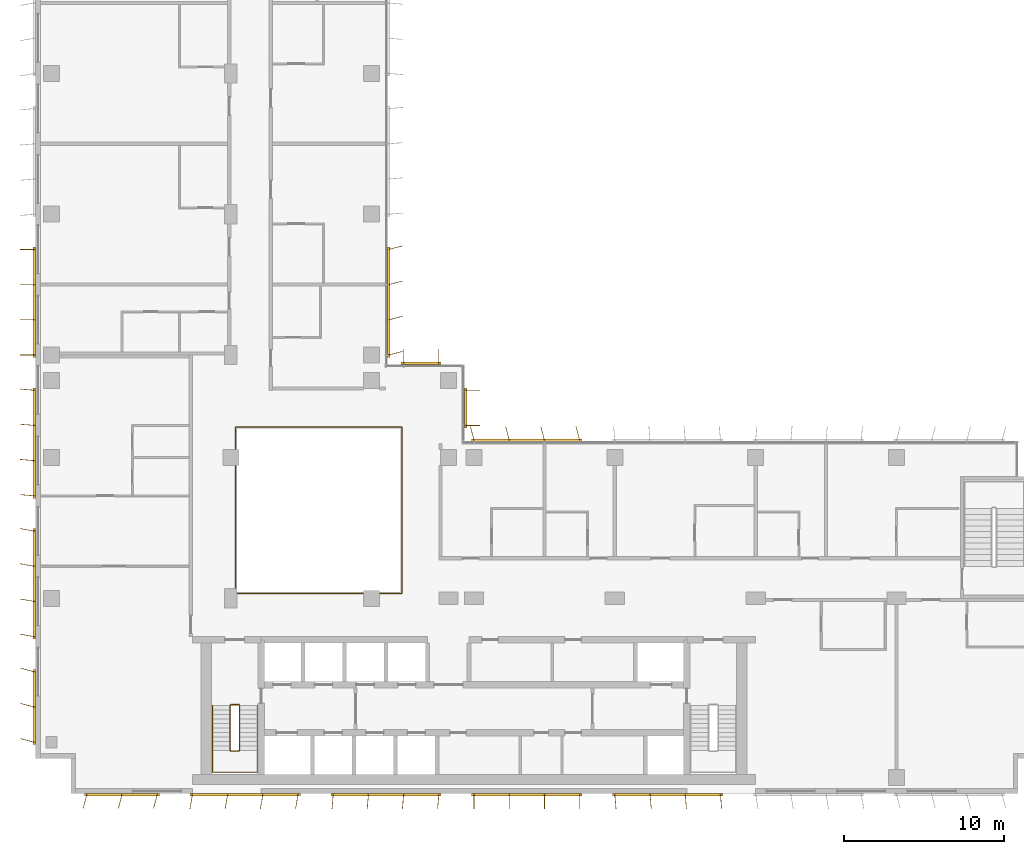
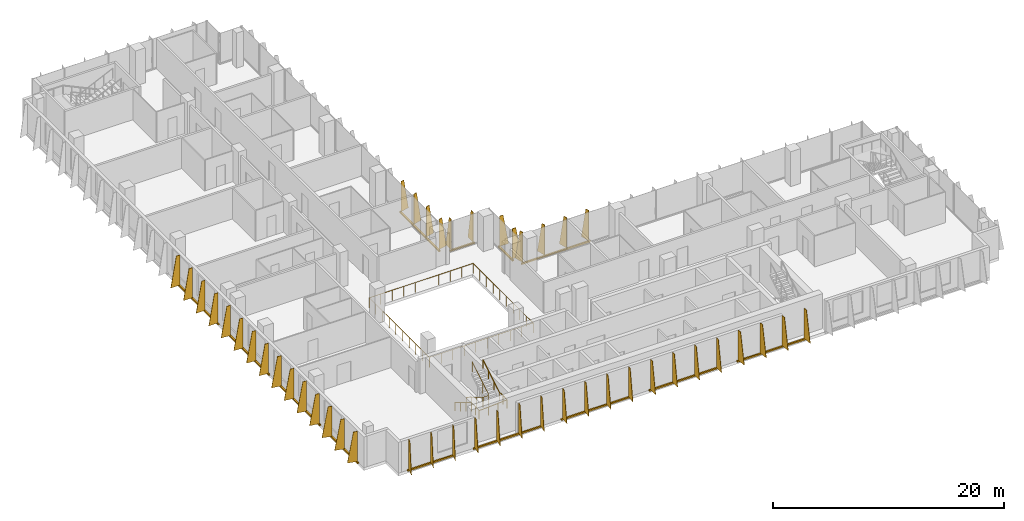
# One storey, part 18 of 20: 13 shading devices, 3 railings.
"""IFC4 building model written with IfcOpenShell, lengths in metres."""

import ifcopenshell
import ifcopenshell.guid

model = None  # the IFC model being written
_history = None  # IfcOwnerHistory: only IFC2X3 demands one
_inside = {}  # id of a spatial element -> (the spatial element, [elements in it])
_under = {}  # id of a project, library or spatial element -> (it, [spatial elements below it])
_declared = {}  # id of a project -> (the project, [libraries it declares])
_typed = {}  # id of a type object -> (the type object, [elements of that type])
_made_of = {}  # id of a material, layer set ... -> (it, [elements and type objects made of it])


def new_model(schema):
    """Start an empty IFC model of exactly this schema.

    Asked for "IFC4X3", IfcOpenShell would pick the latest addendum, in which some entities
    have other attributes; the version numbers below select the first issue.
    IFC2X3 requires an IfcOwnerHistory on every rooted entity: one is made here for all.
    """
    global model, _history
    if schema == "IFC4X3":
        model = ifcopenshell.file(schema_version=(4, 3, 0, 0))
    else:
        model = ifcopenshell.file(schema=schema)
    _inside.clear()
    _under.clear()
    _declared.clear()
    _typed.clear()
    _made_of.clear()
    _history = None
    if model.schema == "IFC2X3":
        org = make("IfcOrganization", Name="unknown")
        user = make(
            "IfcPersonAndOrganization",
            ThePerson=make("IfcPerson", FamilyName="unknown"),
            TheOrganization=org,
        )
        app = make(
            "IfcApplication",
            ApplicationDeveloper=org,
            Version="unknown",
            ApplicationFullName="unknown",
            ApplicationIdentifier="unknown",
        )
        _history = make(
            "IfcOwnerHistory",
            OwningUser=user,
            OwningApplication=app,
            ChangeAction="ADDED",
            CreationDate=0,
        )
    return model


def make(cls, **values):
    """One entity of the class cls with the attributes given. An attribute that is None is left unset."""
    return model.create_entity(
        cls, **{name: value for name, value in values.items() if value is not None}
    )


def rooted(cls, **values):
    """An entity with a GlobalId (a new one), such as an element, a storey or a relation."""
    return make(cls, GlobalId=ifcopenshell.guid.new(), OwnerHistory=_history, **values)


def si_unit(unit_type, name, prefix=None):
    """IfcSIUnit, for example si_unit("LENGTHUNIT", "METRE", prefix="MILLI")."""
    return make("IfcSIUnit", UnitType=unit_type, Prefix=prefix, Name=name)


def assignment(units):
    """IfcUnitAssignment: the units of a project."""
    return None if units is None else make("IfcUnitAssignment", Units=units)


def point(xyz):
    """IfcCartesianPoint."""
    return None if xyz is None else make("IfcCartesianPoint", Coordinates=xyz)


def direction(xyz):
    """IfcDirection."""
    return None if xyz is None else make("IfcDirection", DirectionRatios=xyz)


def frame(location, z_axis=None, x_axis=None):
    """IfcAxis2Placement3D, a coordinate frame: its origin and axes. An axis left out is left unset."""
    return make(
        "IfcAxis2Placement3D",
        Location=point(location),
        Axis=direction(z_axis),
        RefDirection=direction(x_axis),
    )


def frame_2d(location, x_axis=None):
    """IfcAxis2Placement2D, a coordinate frame in the plane: its origin and x axis."""
    return make(
        "IfcAxis2Placement2D", Location=point(location), RefDirection=direction(x_axis)
    )


def origin():
    """The frame at (0, 0, 0) with its axes left unset."""
    return frame((0.0, 0.0, 0.0))


def origin_2d():
    """The frame at (0, 0) in the plane with its x axis left unset."""
    return frame_2d((0.0, 0.0))


def place(relative_to, where):
    """IfcLocalPlacement: puts the frame where relative to a parent placement (None: the world)."""
    return make(
        "IfcLocalPlacement", PlacementRelTo=relative_to, RelativePlacement=where
    )


def context(
    kind, dimensions, precision=None, world=None, true_north=None, identifier=None
):
    """IfcGeometricRepresentationContext, for example the 3D "Model" context."""
    return make(
        "IfcGeometricRepresentationContext",
        ContextIdentifier=identifier,
        ContextType=kind,
        CoordinateSpaceDimension=dimensions,
        Precision=precision,
        WorldCoordinateSystem=world,
        TrueNorth=true_north,
    )


def subcontext(parent, identifier, kind, view, scale=None):
    """IfcGeometricRepresentationSubContext, for example "Body" below "Model"."""
    return make(
        "IfcGeometricRepresentationSubContext",
        ContextIdentifier=identifier,
        ContextType=kind,
        ParentContext=parent,
        TargetScale=scale,
        TargetView=view,
    )


def project(units=None, contexts=None):
    """IfcProject with its units and contexts."""
    return rooted(
        "IfcProject",
        Name="project",
        RepresentationContexts=contexts,
        UnitsInContext=assignment(units),
    )


def spatial(cls, under=None, at=None, **own):
    """A site, building, storey or space (cls), placed at a placement, below another one or the project."""
    s = rooted(cls, ObjectPlacement=at, **own)
    if under is not None:
        _under.setdefault(under.id(), (under, []))[1].append(s)
    return s


def polyline(points):
    """IfcPolyline through the points."""
    return make("IfcPolyline", Points=[point(p) for p in points])


def profile(cls, at=None, kind="AREA", **sizes):
    """A parametric profile (cls). Its sizes go by their IFC names, for example OverallWidth=200.0."""
    return make(cls, ProfileType=kind, Position=at, **sizes)


def rectangle(**sizes):
    """IfcRectangleProfileDef."""
    return profile("IfcRectangleProfileDef", **sizes)


def circle(**sizes):
    """IfcCircleProfileDef."""
    return profile("IfcCircleProfileDef", **sizes)


def outline(outer, holes=None, kind="AREA"):
    """IfcArbitraryClosedProfileDef: a profile drawn as a closed curve; with holes, ...WithVoids."""
    if holes is None:
        return make("IfcArbitraryClosedProfileDef", ProfileType=kind, OuterCurve=outer)
    return make(
        "IfcArbitraryProfileDefWithVoids",
        ProfileType=kind,
        OuterCurve=outer,
        InnerCurves=holes,
    )


def extrude(swept, where, along, depth):
    """IfcExtrudedAreaSolid: the profile swept, set in the frame where, extruded along a direction by depth."""
    return make(
        "IfcExtrudedAreaSolid",
        SweptArea=swept,
        Position=where,
        ExtrudedDirection=direction(along),
        Depth=depth,
    )


def shape(context_of_items, identifier, shape_type, items):
    """IfcShapeRepresentation: the items that make up one representation, for example the "Body"."""
    return make(
        "IfcShapeRepresentation",
        ContextOfItems=context_of_items,
        RepresentationIdentifier=identifier,
        RepresentationType=shape_type,
        Items=items,
    )


def source(mapping_origin, context_of_items, identifier, shape_type, items):
    """IfcRepresentationMap: a shape defined once, which mapped items show again and again."""
    return make(
        "IfcRepresentationMap",
        MappingOrigin=mapping_origin,
        MappedRepresentation=shape(context_of_items, identifier, shape_type, items),
    )


def transform(
    local_origin,
    x_axis=None,
    y_axis=None,
    z_axis=None,
    scale=None,
    scale2=None,
    scale3=None,
    uniform=True,
):
    """IfcCartesianTransformationOperator3D, or its non-uniform kind. x_axis, y_axis, z_axis: its Axis1, 2, 3."""
    if uniform:
        return make(
            "IfcCartesianTransformationOperator3D",
            Axis1=direction(x_axis),
            Axis2=direction(y_axis),
            LocalOrigin=point(local_origin),
            Scale=scale,
            Axis3=direction(z_axis),
        )
    return make(
        "IfcCartesianTransformationOperator3DnonUniform",
        Axis1=direction(x_axis),
        Axis2=direction(y_axis),
        LocalOrigin=point(local_origin),
        Scale=scale,
        Axis3=direction(z_axis),
        Scale2=scale2,
        Scale3=scale3,
    )


def mapped(mapping_source, mapping_target):
    """IfcMappedItem: shows the shape of a source again, moved by a transform."""
    return make(
        "IfcMappedItem", MappingSource=mapping_source, MappingTarget=mapping_target
    )


def material(Name=None, Category=None):
    """IfcMaterial."""
    return make("IfcMaterial", Name=Name, Category=Category)


def layer(
    of_material, thickness, ventilated=None, Name=None, Category=None, Priority=None
):
    """IfcMaterialLayer: one layer of a wall or slab, of a material (None: an air gap)."""
    return make(
        "IfcMaterialLayer",
        Material=of_material,
        LayerThickness=thickness,
        IsVentilated=ventilated,
        Name=Name,
        Category=Category,
        Priority=Priority,
    )


def layer_set(layers, Name=None):
    """IfcMaterialLayerSet."""
    return make("IfcMaterialLayerSet", MaterialLayers=layers, LayerSetName=Name)


def made_of(thing, what):
    """Note that an element or type object is made of a material, layer set ...; save() writes the relation."""
    if what is not None:
        _made_of.setdefault(what.id(), (what, []))[1].append(thing)
    return thing


def type_object(cls, material=None, **own):
    """A type object (cls), such as IfcWallType, which elements share."""
    return made_of(rooted(cls, **own), material)


def element(
    cls,
    number,
    at=None,
    inside=None,
    cuts=None,
    type_object=None,
    material=None,
    context=None,
    identifier="Body",
    shape_type=None,
    held_by="IfcProductDefinitionShape",
    body=None,
    shapes=None,
    **own,
):
    """One element of the class cls, such as IfcWall. Its Tag is "e" and its number.

    at: its placement. inside: the storey or other place that contains it. cuts: it is an
    opening in that element (IfcRelVoidsElement). A single representation is given by context,
    identifier, shape_type and body (its items); several are given by shapes. held_by: the class
    of the entity that holds the representations. save() writes the other relations.
    """
    e = rooted(cls, Tag="e%d" % number, ObjectPlacement=at, **own)
    if body is not None:
        shapes = [shape(context, identifier, shape_type, body)]
    if shapes is not None:
        e.Representation = make(held_by, Representations=shapes)
    if inside is not None:
        _inside.setdefault(inside.id(), (inside, []))[1].append(e)
    if cuts is not None:
        rooted(
            "IfcRelVoidsElement", RelatingBuildingElement=cuts, RelatedOpeningElement=e
        )
    if type_object is not None:
        _typed.setdefault(type_object.id(), (type_object, []))[1].append(e)
    return made_of(e, material)


def aggregate(whole, parts):
    """IfcRelAggregates: a whole, such as a stair, and the parts it consists of."""
    return rooted("IfcRelAggregates", RelatingObject=whole, RelatedObjects=parts)


def save(model, path):
    """Write the relations noted so far, then the file.

    IfcRelAggregates (storeys below a building ...), IfcRelContainedInSpatialStructure (elements
    in a storey), IfcRelDefinesByType, IfcRelAssociatesMaterial and IfcRelDeclares: one each for
    every whole, place, type object, material and project.
    """
    for whole, parts in _under.values():
        aggregate(whole, parts)
    for where, things in _inside.values():
        rooted(
            "IfcRelContainedInSpatialStructure",
            RelatedElements=things,
            RelatingStructure=where,
        )
    for kind, things in _typed.values():
        rooted("IfcRelDefinesByType", RelatedObjects=things, RelatingType=kind)
    for what, things in _made_of.values():
        rooted("IfcRelAssociatesMaterial", RelatedObjects=things, RelatingMaterial=what)
    for by, libraries in _declared.values():
        rooted("IfcRelDeclares", RelatingContext=by, RelatedDefinitions=libraries)
    model.write(path)


model = new_model("IFC4")

# Units and contexts
model_context = context("Model", 3, precision=1e-05, world=origin(), true_north=direction((0.0, 1.0)))
body_context = subcontext(model_context, "Body", "Model", "MODEL_VIEW")
ifc_project = project(units=[si_unit("LENGTHUNIT", "METRE"), si_unit("AREAUNIT", "SQUARE_METRE"), si_unit("VOLUMEUNIT", "CUBIC_METRE"), si_unit("PLANEANGLEUNIT", "RADIAN"), si_unit("MASSUNIT", "GRAM", prefix="KILO")], contexts=[model_context])

# Site, building, storey
site_placement = place(None, origin())
site = spatial("IfcSite", under=ifc_project, at=site_placement, CompositionType="ELEMENT")
building_placement = place(site_placement, origin())
building = spatial("IfcBuilding", under=site, at=building_placement, Name="Kemantara Hotel Tower", CompositionType="ELEMENT")
storey_placement = place(building_placement, frame((0.0, 0.0, 190.10009765625)))
storey = spatial("IfcBuildingStorey", under=building, at=storey_placement, Name="L47", CompositionType="ELEMENT", Elevation=190.10009765625)

# Railings
ifc_material_1 = material(Name="Stainless steel and laminated glass balustrade", Category="steel")
railing_type_1 = type_object("IfcRailingType", Name="ATRIUM GUARD 1100", PredefinedType="GUARDRAIL", material=ifc_material_1)
railing_1_placement = place(storey_placement, frame((12.56005859375, 12.5, 0.0)))
element("IfcRailing", 1, at=railing_1_placement, inside=storey, type_object=railing_type_1, Name="ATRIUM GUARD L47", PredefinedType="GUARDRAIL", context=body_context, shape_type="SweptSolid", body=[
    extrude(circle(Radius=0.02490234375, at=origin_2d()), frame((0.0, 0.0, 1.0751953125), z_axis=(1.0, 0.0, 0.0), x_axis=(0.0, 1.0, 0.0)), (0.0, 0.0, 1.0), 10.33984375),
    extrude(circle(Radius=0.02490234375, at=origin_2d()), frame((10.33984375, 0.0, 1.0751953125), z_axis=(0.0, 1.0, 0.0), x_axis=(-1.0, 0.0, 0.0)), (0.0, 0.0, 1.0), 10.39990234375),
    extrude(circle(Radius=0.02490234375, at=origin_2d()), frame((10.33984375, 10.39990234375, 1.0751953125), z_axis=(-1.0, 0.0, 0.0), x_axis=(0.0, -1.0, 0.0)), (0.0, 0.0, 1.0), 10.39990234375),
    extrude(circle(Radius=0.02490234375, at=origin_2d()), frame((-0.06005859375, 10.39990234375, 1.0751953125), z_axis=(0.0, -1.0, 0.0), x_axis=(1.0, 0.0, 0.0)), (0.0, 0.0, 1.0), 10.39990234375),
    extrude(circle(Radius=0.02001953125, at=origin_2d()), origin(), (0.0, 0.0, 1.0), 1.050048828125),
    extrude(circle(Radius=0.02001953125, at=origin_2d()), frame((1.14892578125, 0.0, 0.0)), (0.0, 0.0, 1.0), 1.050048828125),
    extrude(circle(Radius=0.02001953125, at=origin_2d()), frame((2.2978515625, 0.0, 0.0)), (0.0, 0.0, 1.0), 1.050048828125),
    extrude(circle(Radius=0.02001953125, at=origin_2d()), frame((3.446533203125, 0.0, 0.0)), (0.0, 0.0, 1.0), 1.050048828125),
    extrude(circle(Radius=0.02001953125, at=origin_2d()), frame((4.595458984375, 0.0, 0.0)), (0.0, 0.0, 1.0), 1.050048828125),
    extrude(circle(Radius=0.02001953125, at=origin_2d()), frame((5.744384765625, 0.0, 0.0)), (0.0, 0.0, 1.0), 1.050048828125),
    extrude(circle(Radius=0.02001953125, at=origin_2d()), frame((6.893310546875, 0.0, 0.0)), (0.0, 0.0, 1.0), 1.050048828125),
    extrude(circle(Radius=0.02001953125, at=origin_2d()), frame((8.0419921875, 0.0, 0.0)), (0.0, 0.0, 1.0), 1.050048828125),
    extrude(circle(Radius=0.02001953125, at=origin_2d()), frame((9.19091796875, 0.0, 0.0)), (0.0, 0.0, 1.0), 1.050048828125),
    extrude(circle(Radius=0.02001953125, at=origin_2d()), frame((10.33984375, 0.0, 0.0)), (0.0, 0.0, 1.0), 1.050048828125),
    extrude(circle(Radius=0.02001953125, at=origin_2d()), frame((10.33984375, 1.155517578125, 0.0)), (0.0, 0.0, 1.0), 1.050048828125),
    extrude(circle(Radius=0.02001953125, at=origin_2d()), frame((10.33984375, 2.31103515625, 0.0)), (0.0, 0.0, 1.0), 1.050048828125),
    extrude(circle(Radius=0.02001953125, at=origin_2d()), frame((10.33984375, 3.466552734375, 0.0)), (0.0, 0.0, 1.0), 1.050048828125),
    extrude(circle(Radius=0.02001953125, at=origin_2d()), frame((10.33984375, 4.6220703125, 0.0)), (0.0, 0.0, 1.0), 1.050048828125),
    extrude(circle(Radius=0.02001953125, at=origin_2d()), frame((10.33984375, 5.77783203125, 0.0)), (0.0, 0.0, 1.0), 1.050048828125),
    extrude(circle(Radius=0.02001953125, at=origin_2d()), frame((10.33984375, 6.933349609375, 0.0)), (0.0, 0.0, 1.0), 1.050048828125),
    extrude(circle(Radius=0.02001953125, at=origin_2d()), frame((10.33984375, 8.0888671875, 0.0)), (0.0, 0.0, 1.0), 1.050048828125),
    extrude(circle(Radius=0.02001953125, at=origin_2d()), frame((10.33984375, 9.244384765625, 0.0)), (0.0, 0.0, 1.0), 1.050048828125),
    extrude(circle(Radius=0.02001953125, at=origin_2d()), frame((10.33984375, 10.39990234375, 0.0)), (0.0, 0.0, 1.0), 1.050048828125),
    extrude(circle(Radius=0.02001953125, at=origin_2d()), frame((9.184326171875, 10.39990234375, 0.0)), (0.0, 0.0, 1.0), 1.050048828125),
    extrude(circle(Radius=0.02001953125, at=origin_2d()), frame((8.02880859375, 10.39990234375, 0.0)), (0.0, 0.0, 1.0), 1.050048828125),
    extrude(circle(Radius=0.02001953125, at=origin_2d()), frame((6.873291015625, 10.39990234375, 0.0)), (0.0, 0.0, 1.0), 1.050048828125),
    extrude(circle(Radius=0.02001953125, at=origin_2d()), frame((5.7177734375, 10.39990234375, 0.0)), (0.0, 0.0, 1.0), 1.050048828125),
    extrude(circle(Radius=0.02001953125, at=origin_2d()), frame((4.56201171875, 10.39990234375, 0.0)), (0.0, 0.0, 1.0), 1.050048828125),
    extrude(circle(Radius=0.02001953125, at=origin_2d()), frame((3.406494140625, 10.39990234375, 0.0)), (0.0, 0.0, 1.0), 1.050048828125),
    extrude(circle(Radius=0.02001953125, at=origin_2d()), frame((2.2509765625, 10.39990234375, 0.0)), (0.0, 0.0, 1.0), 1.050048828125),
    extrude(circle(Radius=0.02001953125, at=origin_2d()), frame((1.095458984375, 10.39990234375, 0.0)), (0.0, 0.0, 1.0), 1.050048828125),
    extrude(circle(Radius=0.02001953125, at=origin_2d()), frame((-0.06005859375, 10.39990234375, 0.0)), (0.0, 0.0, 1.0), 1.050048828125),
    extrude(circle(Radius=0.02001953125, at=origin_2d()), frame((-0.06005859375, 9.244384765625, 0.0)), (0.0, 0.0, 1.0), 1.050048828125),
    extrude(circle(Radius=0.02001953125, at=origin_2d()), frame((-0.06005859375, 8.0888671875, 0.0)), (0.0, 0.0, 1.0), 1.050048828125),
    extrude(circle(Radius=0.02001953125, at=origin_2d()), frame((-0.06005859375, 6.933349609375, 0.0)), (0.0, 0.0, 1.0), 1.050048828125),
    extrude(circle(Radius=0.02001953125, at=origin_2d()), frame((-0.06005859375, 5.77783203125, 0.0)), (0.0, 0.0, 1.0), 1.050048828125),
    extrude(circle(Radius=0.02001953125, at=origin_2d()), frame((-0.06005859375, 4.6220703125, 0.0)), (0.0, 0.0, 1.0), 1.050048828125),
    extrude(circle(Radius=0.02001953125, at=origin_2d()), frame((-0.06005859375, 3.466552734375, 0.0)), (0.0, 0.0, 1.0), 1.050048828125),
    extrude(circle(Radius=0.02001953125, at=origin_2d()), frame((-0.06005859375, 2.31103515625, 0.0)), (0.0, 0.0, 1.0), 1.050048828125),
    extrude(circle(Radius=0.02001953125, at=origin_2d()), frame((-0.06005859375, 1.155517578125, 0.0)), (0.0, 0.0, 1.0), 1.050048828125),
    extrude(circle(Radius=0.02001953125, at=origin_2d()), frame((-0.06005859375, 0.0, 0.0)), (0.0, 0.0, 1.0), 1.050048828125),
])
ifc_material_2 = material(Name="Stainless steel balustrade", Category="steel")
railing_type_2 = type_object("IfcRailingType", Name="Stair guard 1100 mm", PredefinedType="GUARDRAIL", material=ifc_material_2)
railing_2_placement = place(storey_placement, frame((12.75, 5.5, 3.699951171875)))
element("IfcRailing", 2, at=railing_2_placement, inside=storey, type_object=railing_type_2, Name="L47 ST1 stair guard 1", PredefinedType="GUARDRAIL", context=body_context, shape_type="SweptSolid", body=[
    extrude(circle(Radius=0.02392578125, at=origin_2d()), frame((0.0, 0.0, 1.076171875), z_axis=(0.0, -0.857242210791, -0.514913383045), x_axis=(1.0, 0.0, 0.0)), (0.0, 0.0, 1.0), 3.266357421875),
    extrude(circle(Radius=0.02392578125, at=origin_2d()), frame((0.0, -2.800048828125, -0.60595703125), z_axis=(-0.274243871929, -0.274243871929, -0.92172696468), x_axis=(0.707106781187, -0.707106781187, 0.0)), (0.0, 0.0, 1.0), 0.1826171875),
    extrude(circle(Radius=0.02392578125, at=origin_2d()), frame((-0.050048828125, -2.85009765625, -0.77392578125), z_axis=(-1.0, 0.0, 0.0), x_axis=(0.0, -1.0, 0.0)), (0.0, 0.0, 1.0), 0.5),
    extrude(circle(Radius=0.02392578125, at=origin_2d()), frame((-0.550048828125, -2.85009765625, -0.77392578125), z_axis=(-0.707106781187, 0.707106781187, 0.0), x_axis=(-0.707106781187, -0.707106781187, 0.0)), (0.0, 0.0, 1.0), 0.07080078125),
    extrude(circle(Radius=0.02392578125, at=origin_2d()), frame((-0.60009765625, -2.800048828125, -0.77392578125), z_axis=(0.0, 0.857242210791, -0.514913383045), x_axis=(-1.0, 0.0, 0.0)), (0.0, 0.0, 1.0), 3.266357421875),
    extrude(circle(Radius=0.02392578125, at=origin_2d()), frame((-0.60009765625, 0.0, -2.4560546875), z_axis=(0.274582412415, 0.274582412415, -0.921525364591), x_axis=(-0.707106781187, 0.707106781187, 0.0)), (0.0, 0.0, 1.0), 0.182373046875),
    extrude(circle(Radius=0.02392578125, at=origin_2d()), frame((-0.550048828125, 0.050048828125, -2.6240234375), z_axis=(1.0, 0.0, 0.0), x_axis=(0.0, 1.0, 0.0)), (0.0, 0.0, 1.0), 0.5),
    extrude(circle(Radius=0.02099609375, at=origin_2d()), origin(), (0.0, 0.0, 1.0), 1.052001953125),
    extrude(circle(Radius=0.02099609375, at=origin_2d()), frame((0.0, -0.933349609375, -0.560546875)), (0.0, 0.0, 1.0), 1.052001953125),
    extrude(circle(Radius=0.02099609375, at=origin_2d()), frame((0.0, -1.86669921875, -1.121337890625)), (0.0, 0.0, 1.0), 1.052001953125),
    extrude(circle(Radius=0.02099609375, at=origin_2d()), frame((0.0, -2.800048828125, -1.681884765625)), (0.0, 0.0, 1.0), 1.052001953125),
    extrude(circle(Radius=0.02099609375, at=origin_2d()), frame((-0.050048828125, -2.85009765625, -1.85009765625)), (0.0, 0.0, 1.0), 1.052001953125),
    extrude(circle(Radius=0.02099609375, at=origin_2d()), frame((-0.550048828125, -2.85009765625, -1.85009765625)), (0.0, 0.0, 1.0), 1.052001953125),
    extrude(circle(Radius=0.02099609375, at=origin_2d()), frame((-0.60009765625, -2.800048828125, -1.85009765625)), (0.0, 0.0, 1.0), 1.052001953125),
    extrude(circle(Radius=0.02099609375, at=origin_2d()), frame((-0.60009765625, -1.86669921875, -2.41064453125)), (0.0, 0.0, 1.0), 1.052001953125),
    extrude(circle(Radius=0.02099609375, at=origin_2d()), frame((-0.60009765625, -0.933349609375, -2.971435546875)), (0.0, 0.0, 1.0), 1.052001953125),
    extrude(circle(Radius=0.02099609375, at=origin_2d()), frame((-0.60009765625, 0.0, -3.531982421875)), (0.0, 0.0, 1.0), 1.052001953125),
    extrude(circle(Radius=0.02099609375, at=origin_2d()), frame((-0.550048828125, 0.050048828125, -3.699951171875)), (0.0, 0.0, 1.0), 1.052001953125),
    extrude(circle(Radius=0.02099609375, at=origin_2d()), frame((-0.050048828125, 0.050048828125, -3.699951171875)), (0.0, 0.0, 1.0), 1.052001953125),
])
railing_type_3 = type_object("IfcRailingType", Name="Stair handrail 900 mm", PredefinedType="HANDRAIL", material=ifc_material_2)
railing_3_placement = place(storey_placement, frame((11.050048828125, 5.5, 0.16796875)))
element("IfcRailing", 3, at=railing_3_placement, inside=storey, type_object=railing_type_3, Name="L47 ST1 stair handrail 1", PredefinedType="HANDRAIL", context=body_context, shape_type="SweptSolid", body=[
    extrude(circle(Radius=0.02392578125, at=origin_2d()), frame((0.0, 0.0, 0.8759765625), z_axis=(0.0, -0.857242210791, 0.514913383045), x_axis=(1.0, 0.0, 0.0)), (0.0, 0.0, 1.0), 3.266357421875),
    extrude(circle(Radius=0.02392578125, at=origin_2d()), frame((0.0, -2.800048828125, 2.5576171875), z_axis=(0.0, -1.0, 0.0), x_axis=(1.0, 0.0, 0.0)), (0.0, 0.0, 1.0), 1.3798828125),
    extrude(circle(Radius=0.02392578125, at=origin_2d()), frame((0.0, -4.179931640625, 2.5576171875), z_axis=(0.998200367801, 0.0, 0.059966871865), x_axis=(0.0, 1.0, 0.0)), (0.0, 0.0, 1.0), 2.80517578125),
    extrude(circle(Radius=0.02392578125, at=origin_2d()), frame((2.800048828125, -4.179931640625, 2.72607421875), z_axis=(0.0, 1.0, 0.0), x_axis=(-1.0, 0.0, 0.0)), (0.0, 0.0, 1.0), 1.3798828125),
    extrude(circle(Radius=0.02392578125, at=origin_2d()), frame((2.800048828125, -2.800048828125, 2.72607421875), z_axis=(0.0, 0.857242210791, 0.514913383045), x_axis=(-1.0, 0.0, 0.0)), (0.0, 0.0, 1.0), 3.266357421875),
    extrude(circle(Radius=0.02099609375, at=origin_2d()), origin(), (0.0, 0.0, 1.0), 0.851806640625),
    extrude(circle(Radius=0.02099609375, at=origin_2d()), frame((0.0, -0.933349609375, 0.560546875)), (0.0, 0.0, 1.0), 0.851806640625),
    extrude(circle(Radius=0.02099609375, at=origin_2d()), frame((0.0, -1.86669921875, 1.121337890625)), (0.0, 0.0, 1.0), 0.851806640625),
    extrude(circle(Radius=0.02099609375, at=origin_2d()), frame((0.0, -2.800048828125, 1.681884765625)), (0.0, 0.0, 1.0), 0.851806640625),
    extrude(circle(Radius=0.02099609375, at=origin_2d()), frame((0.0, -3.489990234375, 1.681884765625)), (0.0, 0.0, 1.0), 0.851806640625),
    extrude(circle(Radius=0.02099609375, at=origin_2d()), frame((0.0, -4.179931640625, 1.681884765625)), (0.0, 0.0, 1.0), 0.851806640625),
    extrude(circle(Radius=0.02099609375, at=origin_2d()), frame((0.933349609375, -4.179931640625, 1.738037109375)), (0.0, 0.0, 1.0), 0.851806640625),
    extrude(circle(Radius=0.02099609375, at=origin_2d()), frame((1.86669921875, -4.179931640625, 1.7939453125)), (0.0, 0.0, 1.0), 0.851806640625),
    extrude(circle(Radius=0.02099609375, at=origin_2d()), frame((2.800048828125, -4.179931640625, 1.85009765625)), (0.0, 0.0, 1.0), 0.851806640625),
    extrude(circle(Radius=0.02099609375, at=origin_2d()), frame((2.800048828125, -3.489990234375, 1.85009765625)), (0.0, 0.0, 1.0), 0.851806640625),
    extrude(circle(Radius=0.02099609375, at=origin_2d()), frame((2.800048828125, -2.800048828125, 1.85009765625)), (0.0, 0.0, 1.0), 0.851806640625),
    extrude(circle(Radius=0.02099609375, at=origin_2d()), frame((2.800048828125, -1.86669921875, 2.41064453125)), (0.0, 0.0, 1.0), 0.851806640625),
    extrude(circle(Radius=0.02099609375, at=origin_2d()), frame((2.800048828125, -0.933349609375, 2.971435546875)), (0.0, 0.0, 1.0), 0.851806640625),
    extrude(circle(Radius=0.02099609375, at=origin_2d()), frame((2.800048828125, 0.0, 3.531982421875)), (0.0, 0.0, 1.0), 0.851806640625),
])

# Shading devices
ifc_material_3 = material(Name="Perforated aluminium plate 4 mm bronze anodised", Category="aluminium")
ifc_layer_1 = layer(ifc_material_3, 0.0400390625)
ifc_layer_set_1 = layer_set([ifc_layer_1], Name="Perforated aluminium plate 4 mm bronze anodised")
shading_device_type_1 = type_object("IfcShadingDeviceType", Name="SCREEN FIN CASSETTE, 3 BLADES AT -15.0 DEG, 3200 HIGH", PredefinedType="USERDEFINED", material=ifc_layer_set_1)
shared_shape_1 = source(origin(), body_context, "Body", "SweptSolid", [
    extrude(rectangle(XDim=4.699951171875, YDim=0.14990234375, at=origin_2d()), frame((2.199951171875, -0.074951171875, -0.14990234375), z_axis=(0.0, 0.0, 1.0), x_axis=(1.0, 0.0, 0.0)), (0.0, 0.0, 1.0), 0.14990234375),
    extrude(outline(polyline([(0.0, 0.0), (0.89990234375, 0.0), (0.35009765625, 3.199951171875), (0.0, 3.199951171875), (0.0, 0.0)])), frame((0.019287109375, -0.080078125, 0.0), z_axis=(-0.966437683387, 0.256901156343, 0.0), x_axis=(-0.256901156343, -0.966437683387, 0.0)), (0.0, 0.0, 1.0), 0.039794921875),
    extrude(outline(polyline([(0.0, 0.0), (0.89990234375, 0.0), (0.35009765625, 3.199951171875), (0.0, 3.199951171875), (0.0, 0.0)])), frame((2.21923828125, -0.080078125, 0.0), z_axis=(-0.966437683387, 0.256901156343, 0.0), x_axis=(-0.256901156343, -0.966437683387, 0.0)), (0.0, 0.0, 1.0), 0.039794921875),
    extrude(outline(polyline([(0.0, 0.0), (0.89990234375, 0.0), (0.35009765625, 3.199951171875), (0.0, 3.199951171875), (0.0, 0.0)])), frame((4.41943359375, -0.080078125, 0.0), z_axis=(-0.966837822169, 0.255391122837, 0.0), x_axis=(-0.255391122837, -0.966837822169, 0.0)), (0.0, 0.0, 1.0), 0.0400390625),
])
for number, where, z_axis, x_axis, name in (
    (4, (0.0, 7.60009765625, 0.099853515625), (0.0, 0.0, 1.0), (0.0, -1.0, 0.0), "SCREEN FIN CASSETTE L47 T3-R05-7"),
    (5, (3.199951171875, 0.0, 0.099853515625), (0.0, 0.0, 1.0), (1.0, 0.0, 0.0), "SCREEN FIN CASSETTE L47 T3-R08-1"),
):
    element("IfcShadingDevice", number, at=place(storey_placement, frame(where, z_axis=z_axis, x_axis=x_axis)), inside=storey, type_object=shading_device_type_1, Name=name, ObjectType="SCREEN FIN", PredefinedType="USERDEFINED", context=body_context, shape_type="MappedRepresentation", body=[
        mapped(shared_shape_1, transform((0.0, 0.0, 0.0))),
    ])
ifc_layer_2 = layer(ifc_material_3, 0.0400390625)
ifc_layer_set_2 = layer_set([ifc_layer_2], Name="Perforated aluminium plate 4 mm bronze anodised")
shading_device_type_2 = type_object("IfcShadingDeviceType", Name="SCREEN FIN CASSETTE, 4 BLADES AT -10.0 DEG, 3200 HIGH", PredefinedType="USERDEFINED", material=ifc_layer_set_2)
shared_shape_2 = source(origin(), body_context, "Body", "SweptSolid", [
    extrude(rectangle(XDim=6.89990234375, YDim=0.14990234375, at=origin_2d()), frame((3.300048828125, -0.074951171875, -0.14990234375), z_axis=(0.0, 0.0, 1.0), x_axis=(1.0, 0.0, 0.0)), (0.0, 0.0, 1.0), 0.14990234375),
    extrude(outline(polyline([(0.0, 0.0), (0.89990234375, 0.0), (0.35009765625, 3.199951171875), (0.0, 3.199951171875), (0.0, 0.0)])), frame((0.019775390625, -0.078369140625, 0.0), z_axis=(-0.985389793052, 0.170314285219, 0.0), x_axis=(-0.170314285219, -0.985389793052, 0.0)), (0.0, 0.0, 1.0), 0.0400390625),
    extrude(outline(polyline([(0.0, 0.0), (0.89990234375, 0.0), (0.35009765625, 3.199951171875), (0.0, 3.199951171875), (0.0, 0.0)])), frame((2.2197265625, -0.078369140625, 0.0), z_axis=(-0.98521175482, 0.171341174751, 0.0), x_axis=(-0.171341174751, -0.98521175482, 0.0)), (0.0, 0.0, 1.0), 0.039794921875),
    extrude(outline(polyline([(0.0, 0.0), (0.89990234375, 0.0), (0.35009765625, 3.199951171875), (0.0, 3.199951171875), (0.0, 0.0)])), frame((4.419677734375, -0.078369140625, 0.0), z_axis=(-0.98521175482, 0.171341174751, 0.0), x_axis=(-0.171341174751, -0.98521175482, 0.0)), (0.0, 0.0, 1.0), 0.039794921875),
    extrude(outline(polyline([(0.0, 0.0), (0.89990234375, 0.0), (0.35009765625, 3.199951171875), (0.0, 3.199951171875), (0.0, 0.0)])), frame((6.61962890625, -0.078369140625, 0.0), z_axis=(-0.98521175482, 0.171341174751, 0.0), x_axis=(-0.171341174751, -0.98521175482, 0.0)), (0.0, 0.0, 1.0), 0.039794921875),
])
for number, where, z_axis, x_axis, name in (
    (6, (0.0, 16.39990234375, 0.099853515625), (0.0, 0.0, 1.0), (0.0, -1.0, 0.0), "SCREEN FIN CASSETTE L47 T3-R05-6"),
    (7, (9.800048828125, 0.0, 0.099853515625), (0.0, 0.0, 1.0), (1.0, 0.0, 0.0), "SCREEN FIN CASSETTE L47 T3-R08-2"),
):
    element("IfcShadingDevice", number, at=place(storey_placement, frame(where, z_axis=z_axis, x_axis=x_axis)), inside=storey, type_object=shading_device_type_2, Name=name, ObjectType="SCREEN FIN", PredefinedType="USERDEFINED", context=body_context, shape_type="MappedRepresentation", body=[
        mapped(shared_shape_2, transform((0.0, 0.0, 0.0))),
    ])
ifc_layer_3 = layer(ifc_material_3, 0.0400390625)
ifc_layer_set_3 = layer_set([ifc_layer_3], Name="Perforated aluminium plate 4 mm bronze anodised")
shading_device_type_3 = type_object("IfcShadingDeviceType", Name="SCREEN FIN CASSETTE, 4 BLADES AT -5.0 DEG, 3200 HIGH", PredefinedType="USERDEFINED", material=ifc_layer_set_3)
shared_shape_3 = source(origin(), body_context, "Body", "SweptSolid", [
    extrude(rectangle(XDim=6.89990234375, YDim=0.14990234375, at=origin_2d()), frame((3.300048828125, -0.074951171875, -0.14990234375), z_axis=(0.0, 0.0, 1.0), x_axis=(1.0, 0.0, 0.0)), (0.0, 0.0, 1.0), 0.14990234375),
    extrude(outline(polyline([(0.0, 0.0), (0.89990234375, 0.0), (0.35009765625, 3.199951171875), (0.0, 3.199951171875), (0.0, 0.0)])), frame((0.02001953125, -0.07666015625, 0.0), z_axis=(-0.996376129781, 0.085056498884, 0.0), x_axis=(-0.085056498884, -0.996376129781, 0.0)), (0.0, 0.0, 1.0), 0.040283203125),
    extrude(outline(polyline([(0.0, 0.0), (0.89990234375, 0.0), (0.35009765625, 3.199951171875), (0.0, 3.199951171875), (0.0, 0.0)])), frame((2.219970703125, -0.07666015625, 0.0), z_axis=(-0.996331773833, 0.085574508182, 0.0), x_axis=(-0.085574508182, -0.996331773833, 0.0)), (0.0, 0.0, 1.0), 0.0400390625),
    extrude(outline(polyline([(0.0, 0.0), (0.89990234375, 0.0), (0.35009765625, 3.199951171875), (0.0, 3.199951171875), (0.0, 0.0)])), frame((4.419921875, -0.07666015625, 0.0), z_axis=(-0.996331773833, 0.085574508182, 0.0), x_axis=(-0.085574508182, -0.996331773833, 0.0)), (0.0, 0.0, 1.0), 0.0400390625),
    extrude(outline(polyline([(0.0, 0.0), (0.89990234375, 0.0), (0.35009765625, 3.199951171875), (0.0, 3.199951171875), (0.0, 0.0)])), frame((6.619873046875, -0.07666015625, 0.0), z_axis=(-0.996331773833, 0.085574508182, 0.0), x_axis=(-0.085574508182, -0.996331773833, 0.0)), (0.0, 0.0, 1.0), 0.0400390625),
])
for number, where, z_axis, x_axis, name in (
    (8, (0.0, 25.199951171875, 0.099853515625), (0.0, 0.0, 1.0), (0.0, -1.0, 0.0), "SCREEN FIN CASSETTE L47 T3-R05-5"),
    (9, (18.60009765625, 0.0, 0.099853515625), (0.0, 0.0, 1.0), (1.0, 0.0, 0.0), "SCREEN FIN CASSETTE L47 T3-R08-3"),
):
    element("IfcShadingDevice", number, at=place(storey_placement, frame(where, z_axis=z_axis, x_axis=x_axis)), inside=storey, type_object=shading_device_type_3, Name=name, ObjectType="SCREEN FIN", PredefinedType="USERDEFINED", context=body_context, shape_type="MappedRepresentation", body=[
        mapped(shared_shape_3, transform((0.0, 0.0, 0.0))),
    ])
ifc_layer_4 = layer(ifc_material_3, 0.0400390625)
ifc_layer_set_4 = layer_set([ifc_layer_4], Name="Perforated aluminium plate 4 mm bronze anodised")
shading_device_type_4 = type_object("IfcShadingDeviceType", Name="SCREEN FIN CASSETTE, 4 BLADES AT +0.0 DEG, 3200 HIGH", PredefinedType="USERDEFINED", material=ifc_layer_set_4)
shared_shape_4 = source(origin(), body_context, "Body", "SweptSolid", [
    extrude(rectangle(XDim=6.89990234375, YDim=0.14990234375, at=origin_2d()), frame((3.300048828125, -0.074951171875, -0.14990234375), z_axis=(0.0, 0.0, 1.0), x_axis=(1.0, 0.0, 0.0)), (0.0, 0.0, 1.0), 0.14990234375),
    extrude(outline(polyline([(0.0, 0.0), (0.89990234375, 0.0), (0.35009765625, 3.199951171875), (0.0, 3.199951171875), (0.0, 0.0)])), frame((0.02001953125, -0.074951171875, 0.0), z_axis=(-1.0, 0.0, 0.0), x_axis=(0.0, -1.0, 0.0)), (0.0, 0.0, 1.0), 0.0400390625),
    extrude(outline(polyline([(0.0, 0.0), (0.89990234375, 0.0), (0.35009765625, 3.199951171875), (0.0, 3.199951171875), (0.0, 0.0)])), frame((2.219970703125, -0.074951171875, 0.0), z_axis=(-1.0, 0.0, 0.0), x_axis=(0.0, -1.0, 0.0)), (0.0, 0.0, 1.0), 0.0400390625),
    extrude(outline(polyline([(0.0, 0.0), (0.89990234375, 0.0), (0.35009765625, 3.199951171875), (0.0, 3.199951171875), (0.0, 0.0)])), frame((4.419921875, -0.074951171875, 0.0), z_axis=(-1.0, 0.0, 0.0), x_axis=(0.0, -1.0, 0.0)), (0.0, 0.0, 1.0), 0.0400390625),
    extrude(outline(polyline([(0.0, 0.0), (0.89990234375, 0.0), (0.35009765625, 3.199951171875), (0.0, 3.199951171875), (0.0, 0.0)])), frame((6.6201171875, -0.074951171875, 0.0), z_axis=(-1.0, 0.0, 0.0), x_axis=(0.0, -1.0, 0.0)), (0.0, 0.0, 1.0), 0.0400390625),
])
for number, where, z_axis, x_axis, name in (
    (10, (0.0, 34.0, 0.099853515625), (0.0, 0.0, 1.0), (0.0, -1.0, 0.0), "SCREEN FIN CASSETTE L47 T3-R05-4"),
    (11, (27.39990234375, 0.0, 0.099853515625), (0.0, 0.0, 1.0), (1.0, 0.0, 0.0), "SCREEN FIN CASSETTE L47 T3-R08-4"),
):
    element("IfcShadingDevice", number, at=place(storey_placement, frame(where, z_axis=z_axis, x_axis=x_axis)), inside=storey, type_object=shading_device_type_4, Name=name, ObjectType="SCREEN FIN", PredefinedType="USERDEFINED", context=body_context, shape_type="MappedRepresentation", body=[
        mapped(shared_shape_4, transform((0.0, 0.0, 0.0))),
    ])
ifc_layer_5 = layer(ifc_material_3, 0.0400390625)
ifc_layer_set_5 = layer_set([ifc_layer_5], Name="Perforated aluminium plate 4 mm bronze anodised")
shading_device_type_5 = type_object("IfcShadingDeviceType", Name="SCREEN FIN CASSETTE, 4 BLADES AT +5.0 DEG, 3200 HIGH", PredefinedType="USERDEFINED", material=ifc_layer_set_5)
shared_shape_5 = source(origin(), body_context, "Body", "SweptSolid", [
    extrude(rectangle(XDim=6.89990234375, YDim=0.14990234375, at=origin_2d()), frame((3.300048828125, -0.074951171875, -0.14990234375), z_axis=(0.0, 0.0, 1.0), x_axis=(1.0, 0.0, 0.0)), (0.0, 0.0, 1.0), 0.14990234375),
    extrude(outline(polyline([(0.0, 0.0), (0.89990234375, 0.0), (0.35009765625, 3.199951171875), (0.0, 3.199951171875), (0.0, 0.0)])), frame((0.02001953125, -0.0732421875, 0.0), z_axis=(-0.996376129781, -0.085056498884, 0.0), x_axis=(0.085056498884, -0.996376129781, 0.0)), (0.0, 0.0, 1.0), 0.040283203125),
    extrude(outline(polyline([(0.0, 0.0), (0.89990234375, 0.0), (0.35009765625, 3.199951171875), (0.0, 3.199951171875), (0.0, 0.0)])), frame((2.219970703125, -0.0732421875, 0.0), z_axis=(-0.996331773833, -0.085574508182, 0.0), x_axis=(0.085574508182, -0.996331773833, 0.0)), (0.0, 0.0, 1.0), 0.0400390625),
    extrude(outline(polyline([(0.0, 0.0), (0.89990234375, 0.0), (0.35009765625, 3.199951171875), (0.0, 3.199951171875), (0.0, 0.0)])), frame((4.419921875, -0.0732421875, 0.0), z_axis=(-0.996331773833, -0.085574508182, 0.0), x_axis=(0.085574508182, -0.996331773833, 0.0)), (0.0, 0.0, 1.0), 0.0400390625),
    extrude(outline(polyline([(0.0, 0.0), (0.89990234375, 0.0), (0.35009765625, 3.199951171875), (0.0, 3.199951171875), (0.0, 0.0)])), frame((6.619873046875, -0.0732421875, 0.0), z_axis=(-0.996331773833, -0.085574508182, 0.0), x_axis=(0.085574508182, -0.996331773833, 0.0)), (0.0, 0.0, 1.0), 0.0400390625),
])
shading_device_placement = place(storey_placement, frame((36.199951171875, 0.0, 0.099853515625), z_axis=(0.0, 0.0, 1.0), x_axis=(1.0, 0.0, 0.0)))
element("IfcShadingDevice", 12, at=shading_device_placement, inside=storey, type_object=shading_device_type_5, Name="SCREEN FIN CASSETTE L47 T3-R08-5", ObjectType="SCREEN FIN", PredefinedType="USERDEFINED", context=body_context, shape_type="MappedRepresentation", body=[
    mapped(shared_shape_5, transform((0.0, 0.0, 0.0))),
])
ifc_layer_6 = layer(ifc_material_3, 0.0400390625)
ifc_layer_set_6 = layer_set([ifc_layer_6], Name="Perforated aluminium plate 4 mm bronze anodised")
shading_device_type_6 = type_object("IfcShadingDeviceType", Name="SCREEN FIN CASSETTE, 4 BLADES AT +15.0 DEG, 3200 HIGH", PredefinedType="USERDEFINED", material=ifc_layer_set_6)
shared_shape_6 = source(origin(), body_context, "Body", "SweptSolid", [
    extrude(rectangle(XDim=6.89990234375, YDim=0.14990234375, at=origin_2d()), frame((3.300048828125, -0.074951171875, -0.14990234375), z_axis=(0.0, 0.0, 1.0), x_axis=(1.0, 0.0, 0.0)), (0.0, 0.0, 1.0), 0.14990234375),
    extrude(outline(polyline([(0.0, 0.0), (0.89990234375, 0.0), (0.35009765625, 3.199951171875), (0.0, 3.199951171875), (0.0, 0.0)])), frame((0.019287109375, -0.06982421875, 0.0), z_axis=(-0.966437683387, -0.256901156343, 0.0), x_axis=(0.256901156343, -0.966437683387, 0.0)), (0.0, 0.0, 1.0), 0.039794921875),
    extrude(outline(polyline([(0.0, 0.0), (0.89990234375, 0.0), (0.35009765625, 3.199951171875), (0.0, 3.199951171875), (0.0, 0.0)])), frame((2.21923828125, -0.06982421875, 0.0), z_axis=(-0.966437683387, -0.256901156343, 0.0), x_axis=(0.256901156343, -0.966437683387, 0.0)), (0.0, 0.0, 1.0), 0.039794921875),
    extrude(outline(polyline([(0.0, 0.0), (0.89990234375, 0.0), (0.35009765625, 3.199951171875), (0.0, 3.199951171875), (0.0, 0.0)])), frame((4.41943359375, -0.06982421875, 0.0), z_axis=(-0.966837822169, -0.255391122837, 0.0), x_axis=(0.255391122837, -0.966837822169, 0.0)), (0.0, 0.0, 1.0), 0.0400390625),
    extrude(outline(polyline([(0.0, 0.0), (0.89990234375, 0.0), (0.35009765625, 3.199951171875), (0.0, 3.199951171875), (0.0, 0.0)])), frame((6.619384765625, -0.06982421875, 0.0), z_axis=(-0.966837822169, -0.255391122837, 0.0), x_axis=(0.255391122837, -0.966837822169, 0.0)), (0.0, 0.0, 1.0), 0.0400390625),
])
for number, where, z_axis, x_axis, name in (
    (13, (34.0, 22.0, 0.099853515625), (0.0, 0.0, 1.0), (-1.0, 0.0, 0.0), "SCREEN FIN CASSETTE L47 T3-R14-4"),
    (14, (22.0, 27.39990234375, 0.099853515625), (0.0, 0.0, 1.0), (0.0, 1.0, 0.0), "SCREEN FIN CASSETTE L47 T3-R17-1"),
):
    element("IfcShadingDevice", number, at=place(storey_placement, frame(where, z_axis=z_axis, x_axis=x_axis)), inside=storey, type_object=shading_device_type_6, Name=name, ObjectType="SCREEN FIN", PredefinedType="USERDEFINED", context=body_context, shape_type="MappedRepresentation", body=[
        mapped(shared_shape_6, transform((0.0, 0.0, 0.0))),
    ])
ifc_layer_7 = layer(ifc_material_3, 0.0400390625)
ifc_layer_set_7 = layer_set([ifc_layer_7], Name="Perforated aluminium plate 4 mm bronze anodised")
shading_device_type_7 = type_object("IfcShadingDeviceType", Name="SCREEN FIN CASSETTE, 2 BLADES AT +0.0 DEG, 3200 HIGH", PredefinedType="USERDEFINED", material=ifc_layer_set_7)
shared_shape_7 = source(origin(), body_context, "Body", "SweptSolid", [
    extrude(rectangle(XDim=2.5, YDim=0.14990234375, at=origin_2d()), frame((1.10009765625, -0.074951171875, -0.14990234375), z_axis=(0.0, 0.0, 1.0), x_axis=(1.0, 0.0, 0.0)), (0.0, 0.0, 1.0), 0.14990234375),
    extrude(outline(polyline([(0.0, 0.0), (0.89990234375, 0.0), (0.35009765625, 3.199951171875), (0.0, 3.199951171875), (0.0, 0.0)])), frame((0.02001953125, -0.074951171875, 0.0), z_axis=(-1.0, 0.0, 0.0), x_axis=(0.0, -1.0, 0.0)), (0.0, 0.0, 1.0), 0.0400390625),
    extrude(outline(polyline([(0.0, 0.0), (0.89990234375, 0.0), (0.35009765625, 3.199951171875), (0.0, 3.199951171875), (0.0, 0.0)])), frame((2.219970703125, -0.074951171875, 0.0), z_axis=(-1.0, 0.0, 0.0), x_axis=(0.0, -1.0, 0.0)), (0.0, 0.0, 1.0), 0.0400390625),
])
for number, where, z_axis, x_axis, name in (
    (15, (26.800048828125, 23.0, 0.099853515625), (0.0, 0.0, 1.0), (0.0, 1.0, 0.0), "SCREEN FIN CASSETTE L47 T3-R15-1"),
    (16, (25.199951171875, 26.800048828125, 0.099853515625), (0.0, 0.0, 1.0), (-1.0, 0.0, 0.0), "SCREEN FIN CASSETTE L47 T3-R16-1"),
):
    element("IfcShadingDevice", number, at=place(storey_placement, frame(where, z_axis=z_axis, x_axis=x_axis)), inside=storey, type_object=shading_device_type_7, Name=name, ObjectType="SCREEN FIN", PredefinedType="USERDEFINED", context=body_context, shape_type="MappedRepresentation", body=[
        mapped(shared_shape_7, transform((0.0, 0.0, 0.0))),
    ])

save(model, "model.ifc")
